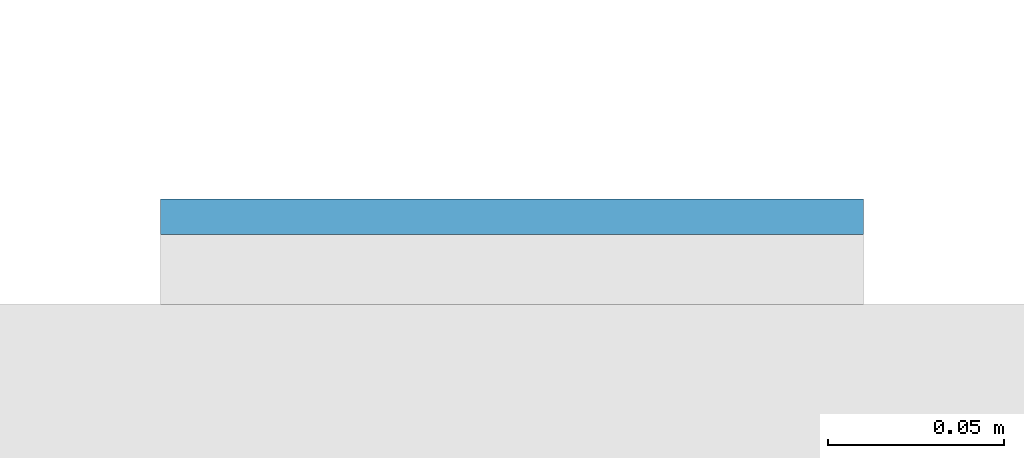
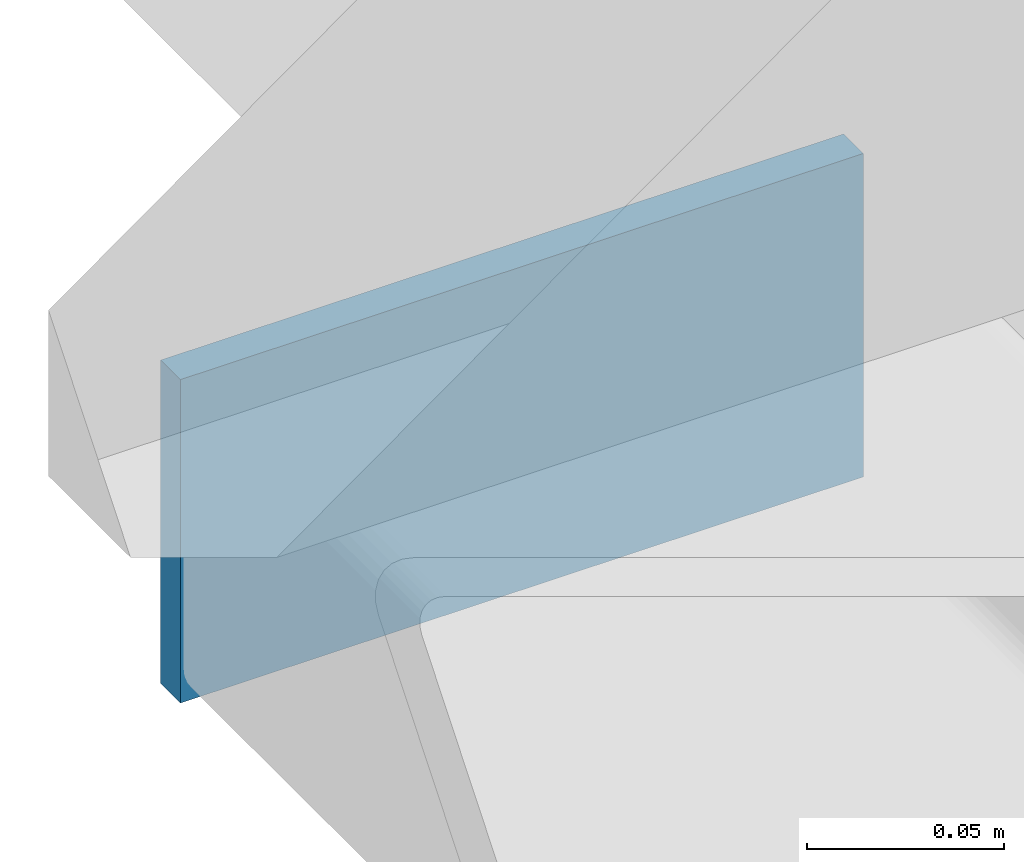
# One storey, part 9 of 20: 1 plate.
"""IFC4 building model written with IfcOpenShell, lengths in metres."""

from ifc_helpers import new_model, si_unit, direction, frame, origin, origin_2d, place, context, subcontext, project, spatial, rectangle, extrude, material, layer, layer_set, type_object, element, save


model = new_model("IFC4")

# Units and contexts
model_context = context("Model", 3, precision=1e-05, world=origin(), true_north=direction((0.0, 1.0)))
body_context = subcontext(model_context, "Body", "Model", "MODEL_VIEW")
ifc_project = project(units=[si_unit("LENGTHUNIT", "METRE"), si_unit("AREAUNIT", "SQUARE_METRE"), si_unit("VOLUMEUNIT", "CUBIC_METRE"), si_unit("PLANEANGLEUNIT", "RADIAN"), si_unit("MASSUNIT", "GRAM", prefix="KILO")], contexts=[model_context])

# Site, building, storey
site_placement = place(None, origin())
site = spatial("IfcSite", under=ifc_project, at=site_placement, CompositionType="ELEMENT")
building_placement = place(site_placement, origin())
building = spatial("IfcBuilding", under=site, at=building_placement, Name="Cleftline Residences", CompositionType="ELEMENT")
storey_placement = place(building_placement, frame((0.0, 0.0, 103.39990234375)))
storey = spatial("IfcBuildingStorey", under=building, at=storey_placement, Name="L26", CompositionType="ELEMENT", Elevation=103.39990234375)

# Plate
ifc_material = material(Name="Steel S355, hot-dip galvanised", Category="steel")
ifc_layer = layer(ifc_material, 0.010009765625)
ifc_layer_set = layer_set([ifc_layer], Name="BAGUETTE CARRIER END PLATE 200X100X10")
plate_type = type_object("IfcPlateType", Name="BAGUETTE CARRIER END PLATE 200X100X10", PredefinedType="USERDEFINED", material=ifc_layer_set)
plate_placement = place(storey_placement, frame((-0.85009765625, 44.304931640625, -0.099853515625), z_axis=(0.0, 0.0, 1.0), x_axis=(-1.0, 0.0, 0.0)))
element("IfcPlate", 1, at=plate_placement, inside=storey, type_object=plate_type, Name="Baguette carrier end plate", ObjectType="BAGUETTE CARRIER END PLATE", PredefinedType="USERDEFINED", context=body_context, shape_type="SweptSolid", body=[
    extrude(rectangle(XDim=0.199951171875, YDim=0.010009765625, at=origin_2d()), origin(), (0.0, 0.0, 1.0), 0.10009765625),
])

save(model, "model.ifc")
